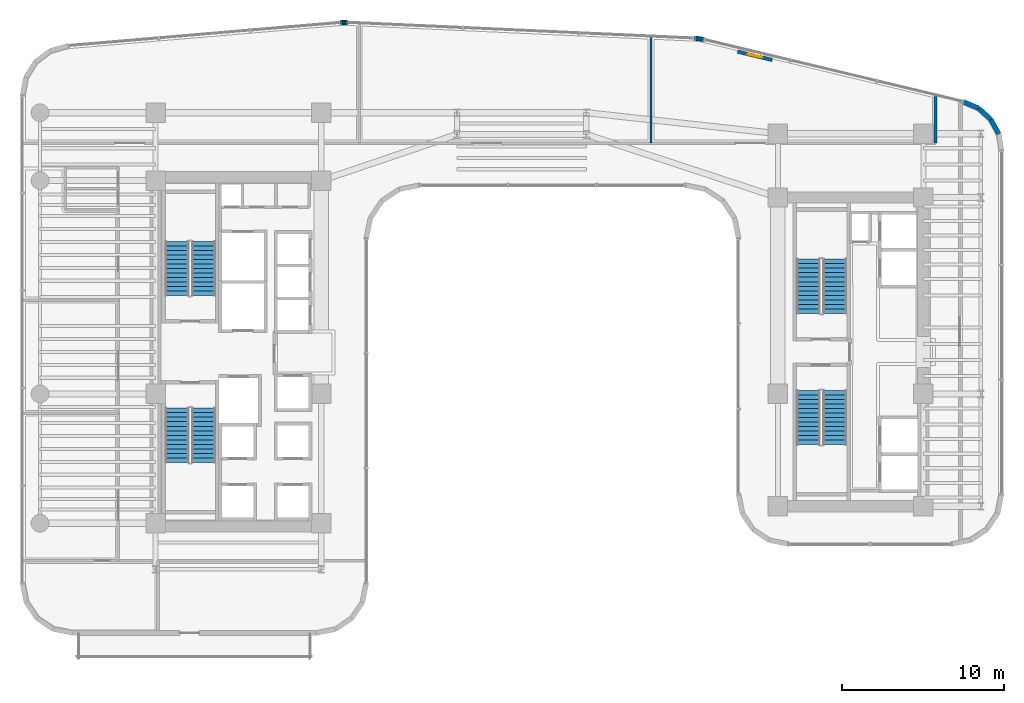
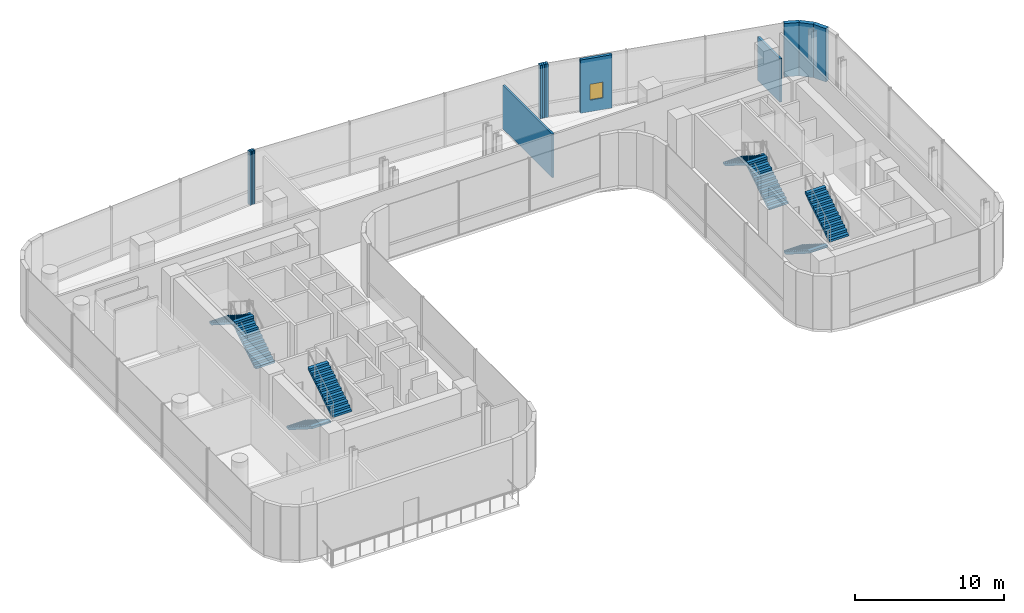
# One storey, part 28 of 32: 14 walls, 8 stair flights, 1 window, 1 opening, 4 elements without a shape of their own.
"""IFC4 building model written with IfcOpenShell, lengths in metres."""

from ifc_helpers import new_model, si_unit, direction, frame, frame_2d, origin, place, context, subcontext, project, spatial, polyline, rectangle, outline, extrude, material, layer, layer_set, type_object, element, fill, aggregate, save


model = new_model("IFC4")

# Units and contexts
model_context = context("Model", 3, precision=1e-05, world=origin(), true_north=direction((0.0, 1.0)))
body_context = subcontext(model_context, "Body", "Model", "MODEL_VIEW")
ifc_project = project(units=[si_unit("LENGTHUNIT", "METRE"), si_unit("AREAUNIT", "SQUARE_METRE"), si_unit("VOLUMEUNIT", "CUBIC_METRE"), si_unit("PLANEANGLEUNIT", "RADIAN"), si_unit("MASSUNIT", "GRAM", prefix="KILO")], contexts=[model_context])

# Site, building, storey
site_placement = place(None, origin())
site = spatial("IfcSite", under=ifc_project, at=site_placement, CompositionType="ELEMENT")
building_placement = place(site_placement, origin())
building = spatial("IfcBuilding", under=site, at=building_placement, Name="Valdorenza Pilgrim Sanctuary Tower", CompositionType="ELEMENT")
storey_placement = place(building_placement, frame((0.0, 0.0, 101.10009765625)))
storey = spatial("IfcBuildingStorey", under=building, at=storey_placement, Name="L25", CompositionType="ELEMENT", Elevation=101.10009765625)

# Walls
ifc_material_1 = material(Name="Acoustic twin-stud gypsum partition", Category="gypsum")
ifc_layer_1 = layer(ifc_material_1, 0.159912109375, Name="Acoustic twin-stud gypsum partition")
ifc_layer_set_1 = layer_set([ifc_layer_1], Name="Acoustic twin-stud gypsum partition")
wall_type_1 = type_object("IfcWallType", Name="WAL-COR-160", PredefinedType="PARTITIONING", material=ifc_layer_set_1)
wall_1_placement = place(storey_placement, frame((25.60009765625, 12.919921875, 0.0), z_axis=(0.0, 0.0, 1.0), x_axis=(0.0, 1.0, 0.0)))
element("IfcWall", 1, at=wall_1_placement, inside=storey, type_object=wall_type_1, Name="L25 L25 Knuckle East Wall", PredefinedType="PARTITIONING", context=body_context, shape_type="SweptSolid", body=[
    extrude(rectangle(XDim=2.972412109375, YDim=0.159912109375, at=frame_2d((1.486328125, 0.0))), origin(), (0.0, 0.0, 1.0), 3.56591796875),
])
ifc_material_2 = material(Name="Honed travertine limestone", Category="masonry")
ifc_layer_2 = layer(ifc_material_2, 0.300048828125, Name="Honed travertine limestone")
ifc_layer_set_2 = layer_set([ifc_layer_2], Name="Honed travertine limestone")
wall_type_2 = type_object("IfcWallType", Name="WAL-EXT-300", PredefinedType="SOLIDWALL", material=ifc_layer_set_2)
wall_2_placement = place(storey_placement, frame((-11.199462890625, 20.37255859375, 0.0), z_axis=(0.0, 0.0, 1.0), x_axis=(0.997567332166, 0.069709524416, 0.0)))
element("IfcWall", 2, at=wall_2_placement, inside=storey, type_object=wall_type_2, Name="L25 Rounded Wind-Corner Stone Pier 7", PredefinedType="SOLIDWALL", context=body_context, shape_type="SweptSolid", body=[
    extrude(rectangle(XDim=0.1015625, YDim=0.300048828125, at=frame_2d((0.05078125, 0.0))), origin(), (0.0, 0.0, 1.0), 4.35986328125),
])
wall_3_placement = place(storey_placement, frame((-11.09814453125, 20.379638671875, 0.0), z_axis=(0.0, 0.0, 1.0), x_axis=(0.999334672785, 0.03647206835, 0.0)))
element("IfcWall", 3, at=wall_3_placement, inside=storey, type_object=wall_type_2, Name="L25 Rounded Wind-Corner Stone Pier 8", PredefinedType="SOLIDWALL", context=body_context, shape_type="SweptSolid", body=[
    extrude(rectangle(XDim=0.100341796875, YDim=0.300048828125, at=frame_2d((0.05029296875, 0.0))), origin(), (0.0, 0.0, 1.0), 4.35986328125),
])
wall_4_placement = place(storey_placement, frame((-10.997802734375, 20.38330078125, 0.0), z_axis=(0.0, 0.0, 1.0), x_axis=(0.999997054401, 0.002427177317, 0.0)))
element("IfcWall", 4, at=wall_4_placement, inside=storey, type_object=wall_type_2, Name="L25 Rounded Wind-Corner Stone Pier 9", PredefinedType="SOLIDWALL", context=body_context, shape_type="SweptSolid", body=[
    extrude(rectangle(XDim=0.1005859375, YDim=0.300048828125, at=frame_2d((0.05029296875, 0.0))), origin(), (0.0, 0.0, 1.0), 4.35986328125),
])
wall_5_placement = place(storey_placement, frame((-10.897216796875, 20.383544921875, 0.0), z_axis=(0.0, 0.0, 1.0), x_axis=(0.999584209171, -0.02883415988, 0.0)))
element("IfcWall", 5, at=wall_5_placement, inside=storey, type_object=wall_type_2, Name="L25 Rounded Wind-Corner Stone Pier 10", PredefinedType="SOLIDWALL", context=body_context, shape_type="SweptSolid", body=[
    extrude(rectangle(XDim=0.1015625, YDim=0.300048828125, at=frame_2d((0.05078125, 0.0))), origin(), (0.0, 0.0, 1.0), 4.35986328125),
])
wall_6_placement = place(storey_placement, frame((10.68994140625, 19.404052734375, 0.0), z_axis=(0.0, 0.0, 1.0), x_axis=(0.99758310784, -0.069483400546, 0.0)))
element("IfcWall", 6, at=wall_6_placement, inside=storey, type_object=wall_type_2, Name="L25 Rounded Wind-Corner Stone Pier 12", PredefinedType="SOLIDWALL", context=body_context, shape_type="SweptSolid", body=[
    extrude(rectangle(XDim=0.1474609375, YDim=0.300048828125, at=frame_2d((0.07373046875, 0.0))), origin(), (0.0, 0.0, 1.0), 4.35986328125),
])
for number, where, z_axis, x_axis, name in (
    (7, (10.837158203125, 19.393798828125, 0.0), (0.0, 0.0, 1.0), (0.993173334962, -0.116647874912, 0.0), "L25 Rounded Wind-Corner Stone Pier 13"),
    (8, (10.982666015625, 19.376708984375, 0.0), (0.0, 0.0, 1.0), (0.986573494681, -0.163317909592, 0.0), "L25 Rounded Wind-Corner Stone Pier 14"),
):
    element("IfcWall", number, at=place(storey_placement, frame(where, z_axis=z_axis, x_axis=x_axis)), inside=storey, type_object=wall_type_2, Name=name, PredefinedType="SOLIDWALL", context=body_context, shape_type="SweptSolid", body=[
        extrude(rectangle(XDim=0.146484375, YDim=0.300048828125, at=frame_2d((0.0732421875, 0.0))), origin(), (0.0, 0.0, 1.0), 4.35986328125),
    ])
wall_7_placement = place(storey_placement, frame((11.127197265625, 19.352783203125, 0.0), z_axis=(0.0, 0.0, 1.0), x_axis=(0.978019841688, -0.208511844421, 0.0)))
element("IfcWall", 9, at=wall_7_placement, inside=storey, type_object=wall_type_2, Name="L25 Rounded Wind-Corner Stone Pier 15", PredefinedType="SOLIDWALL", context=body_context, shape_type="SweptSolid", body=[
    extrude(rectangle(XDim=0.1474609375, YDim=0.300048828125, at=frame_2d((0.07373046875, 0.0))), origin(), (0.0, 0.0, 1.0), 4.35986328125),
])

# Wall, opening, window
wall_8_placement = place(storey_placement, frame((13.355224609375, 18.576416015625, 0.0), z_axis=(0.0, 0.0, 1.0), x_axis=(0.97252211384, -0.232810519721, 0.0)))
wall_8 = element("IfcWall", 10, at=wall_8_placement, inside=storey, type_object=wall_type_2, Name="L25 Operable Ventilation Sash Jamb Pier", PredefinedType="SOLIDWALL", context=body_context, shape_type="SweptSolid", body=[
    extrude(rectangle(XDim=2.2001953125, YDim=0.219970703125, at=frame_2d((1.10009765625, 0.0))), origin(), (0.0, 0.0, 1.0), 4.35986328125),
])
opening_placement = place(wall_8_placement, frame((0.64990234375, 0.0, 0.949951171875)))
opening = element("IfcOpeningElement", 11, at=opening_placement, cuts=wall_8, Name="Opening WN-OP1", PredefinedType="OPENING", context=body_context, shape_type="SweptSolid", body=[
    extrude(rectangle(XDim=0.89990234375, YDim=1.300048828125, at=frame_2d((0.449951171875, 0.64990234375))), frame((0.0, 0.125, 0.0), z_axis=(0.0, -1.0, 0.0), x_axis=(1.0, 0.0, 0.0)), (0.0, 0.0, 1.0), 0.249755859375),
])
ifc_material_3 = material(Name="Ceramic-fritted low-E IGU glazing", Category="glass")
window_type = type_object("IfcWindowType", Name="WIN-OPN-900", PartitioningType="SINGLE_PANEL", PredefinedType="WINDOW", material=ifc_material_3)
window_placement = place(opening_placement, origin())
window = element("IfcWindow", 12, at=window_placement, inside=storey, type_object=window_type, Name="L25 Parallel-Pop-Out Operable Facade Panel", OverallHeight=1.300048828125, OverallWidth=0.89990234375, PartitioningType="SINGLE_PANEL", PredefinedType="WINDOW", context=body_context, shape_type="SweptSolid", body=[
    extrude(rectangle(XDim=0.89990234375, YDim=1.300048828125, at=frame_2d((0.449951171875, 0.64990234375))), frame((0.0, 0.030029296875, 0.0), z_axis=(0.0, -1.0, 0.0), x_axis=(1.0, 0.0, 0.0)), (0.0, 0.0, 1.0), 0.06005859375),
])
fill(opening, window)

# Walls
wall_9_placement = place(storey_placement, frame((27.310302734375, 15.48291015625, 0.0), z_axis=(0.0, 0.0, 1.0), x_axis=(0.920250328759, -0.391330208927, 0.0)))
element("IfcWall", 13, at=wall_9_placement, inside=storey, type_object=wall_type_2, Name="L25 Rounded Wind-Corner Stone Pier 17", PredefinedType="SOLIDWALL", context=body_context, shape_type="SweptSolid", body=[
    extrude(rectangle(XDim=1.0361328125, YDim=0.300048828125, at=frame_2d((0.51806640625, 0.0))), origin(), (0.0, 0.0, 1.0), 4.35986328125),
])
wall_10_placement = place(storey_placement, frame((28.263916015625, 15.077392578125, 0.0), z_axis=(0.0, 0.0, 1.0), x_axis=(0.741208839713, -0.671274501178, 0.0)))
element("IfcWall", 14, at=wall_10_placement, inside=storey, type_object=wall_type_2, Name="L25 Rounded Wind-Corner Stone Pier 18", PredefinedType="SOLIDWALL", context=body_context, shape_type="SweptSolid", body=[
    extrude(rectangle(XDim=1.0263671875, YDim=0.300048828125, at=frame_2d((0.51318359375, 0.0))), origin(), (0.0, 0.0, 1.0), 4.35986328125),
])
wall_11_placement = place(storey_placement, frame((29.024658203125, 14.388427734375, 0.0), z_axis=(0.0, 0.0, 1.0), x_axis=(0.480284137298, -0.87711296163, 0.0)))
element("IfcWall", 15, at=wall_11_placement, inside=storey, type_object=wall_type_2, Name="L25 Rounded Wind-Corner Stone Pier 19", PredefinedType="SOLIDWALL", context=body_context, shape_type="SweptSolid", body=[
    extrude(rectangle(XDim=1.02685546875, YDim=0.300048828125, at=frame_2d((0.513427734375, 0.0))), origin(), (0.0, 0.0, 1.0), 4.35986328125),
])
ifc_layer_3 = layer(ifc_material_1, 0.14990234375, Name="Acoustic twin-stud gypsum partition")
ifc_layer_set_3 = layer_set([ifc_layer_3], Name="Acoustic twin-stud gypsum partition")
wall_type_3 = type_object("IfcWallType", Name="WAL-UNT-150", PredefinedType="PARTITIONING", material=ifc_layer_set_3)
wall_12_placement = place(storey_placement, frame((8.0, 12.919921875, 0.0), z_axis=(0.0, 0.0, 1.0), x_axis=(0.0, 1.0, 0.0)))
element("IfcWall", 16, at=wall_12_placement, inside=storey, type_object=wall_type_3, Name="L25 L25 Knuckle Mid Wall", PredefinedType="PARTITIONING", context=body_context, shape_type="SweptSolid", body=[
    extrude(rectangle(XDim=6.606201171875, YDim=0.14990234375, at=frame_2d((3.30322265625, 0.0))), origin(), (0.0, 0.0, 1.0), 3.56591796875),
])

# Stair, stair flights
ifc_material_4 = material(Name="Concrete C40/50", Category="concrete")
stair_type = type_object("IfcStairType", Name="STR-DOG-CORE", PredefinedType="HALF_TURN_STAIR", material=ifc_material_4)
stair_1_placement = place(storey_placement, origin())
stair_1 = element("IfcStair", 17, at=stair_1_placement, inside=storey, type_object=stair_type, Name="L25 ST-A1", PredefinedType="HALF_TURN_STAIR")
stair_flight_type = type_object("IfcStairFlightType", Name="STF-RC-1400", PredefinedType="STRAIGHT", material=ifc_material_4)
stair_flight_1_placement = place(storey_placement, frame((-19.679931640625, 3.47998046875, 0.0), z_axis=(0.0, 0.0, 1.0), x_axis=(0.0, 1.0, 0.0)))
stair_flight_1 = element("IfcStairFlight", 18, at=stair_flight_1_placement, type_object=stair_flight_type, Name="ST-A1 flight 1", NumberOfRisers=13, NumberOfTreads=12, PredefinedType="STRAIGHT", RiserHeight=0.176923077, TreadLength=0.28, context=body_context, shape_type="SweptSolid", body=[
    extrude(outline(polyline([(0.0, 0.0), (0.0, 0.177001953125), (0.280029296875, 0.177001953125), (0.280029296875, 0.353759765625), (0.56005859375, 0.353759765625), (0.56005859375, 0.53076171875), (0.840087890625, 0.53076171875), (0.840087890625, 0.707763671875), (1.1201171875, 0.707763671875), (1.1201171875, 0.884521484375), (1.39990234375, 0.884521484375), (1.39990234375, 1.0615234375), (1.679931640625, 1.0615234375), (1.679931640625, 1.238525390625), (1.9599609375, 1.238525390625), (1.9599609375, 1.415283203125), (2.239990234375, 1.415283203125), (2.239990234375, 1.59228515625), (2.52001953125, 1.59228515625), (2.52001953125, 1.769287109375), (2.800048828125, 1.769287109375), (2.800048828125, 1.946044921875), (3.080078125, 1.946044921875), (3.080078125, 2.123046875), (3.360107421875, 2.123046875), (3.360107421875, 2.300048828125), (3.360107421875, 1.94580078125), (0.280517578125, 0.0), (0.0, 0.0)])), frame((0.0, 0.739990234375, 0.0), z_axis=(0.0, -1.0, 0.0), x_axis=(1.0, 0.0, 0.0)), (0.0, 0.0, 1.0), 1.47998046875),
])
stair_flight_2_placement = place(storey_placement, frame((-21.31005859375, 6.840087890625, 2.2998046875), z_axis=(0.0, 0.0, 1.0), x_axis=(0.0, -1.0, 0.0)))
stair_flight_2 = element("IfcStairFlight", 19, at=stair_flight_2_placement, type_object=stair_flight_type, Name="ST-A1 flight 2", NumberOfRisers=13, NumberOfTreads=12, PredefinedType="STRAIGHT", RiserHeight=0.176923077, TreadLength=0.28, context=body_context, shape_type="SweptSolid", body=[
    extrude(outline(polyline([(0.0, 0.0), (0.0, 0.177001953125), (0.280029296875, 0.177001953125), (0.280029296875, 0.353759765625), (0.56005859375, 0.353759765625), (0.56005859375, 0.53076171875), (0.840087890625, 0.53076171875), (0.840087890625, 0.707763671875), (1.1201171875, 0.707763671875), (1.1201171875, 0.884521484375), (1.39990234375, 0.884521484375), (1.39990234375, 1.0615234375), (1.679931640625, 1.0615234375), (1.679931640625, 1.238525390625), (1.9599609375, 1.238525390625), (1.9599609375, 1.415283203125), (2.239990234375, 1.415283203125), (2.239990234375, 1.59228515625), (2.52001953125, 1.59228515625), (2.52001953125, 1.769287109375), (2.800048828125, 1.769287109375), (2.800048828125, 1.946044921875), (3.080078125, 1.946044921875), (3.080078125, 2.123046875), (3.360107421875, 2.123046875), (3.360107421875, 2.300048828125), (3.360107421875, 1.94580078125), (0.280517578125, 0.0), (0.0, 0.0)])), frame((0.0, 0.739990234375, 0.0), z_axis=(0.0, -1.0, 0.0), x_axis=(1.0, 0.0, 0.0)), (0.0, 0.0, 1.0), 1.47998046875),
])
aggregate(stair_1, [stair_flight_1, stair_flight_2])

stair_2_placement = place(storey_placement, origin())
stair_2 = element("IfcStair", 20, at=stair_2_placement, inside=storey, type_object=stair_type, Name="L25 ST-A2", PredefinedType="HALF_TURN_STAIR")
stair_flight_3_placement = place(storey_placement, frame((-21.31005859375, -3.47998046875, 0.0), z_axis=(0.0, 0.0, 1.0), x_axis=(0.0, -1.0, 0.0)))
stair_flight_3 = element("IfcStairFlight", 21, at=stair_flight_3_placement, type_object=stair_flight_type, Name="ST-A2 flight 1", NumberOfRisers=13, NumberOfTreads=12, PredefinedType="STRAIGHT", RiserHeight=0.176923077, TreadLength=0.28, context=body_context, shape_type="SweptSolid", body=[
    extrude(outline(polyline([(0.0, 0.0), (0.0, 0.177001953125), (0.280029296875, 0.177001953125), (0.280029296875, 0.353759765625), (0.56005859375, 0.353759765625), (0.56005859375, 0.53076171875), (0.840087890625, 0.53076171875), (0.840087890625, 0.707763671875), (1.1201171875, 0.707763671875), (1.1201171875, 0.884521484375), (1.39990234375, 0.884521484375), (1.39990234375, 1.0615234375), (1.679931640625, 1.0615234375), (1.679931640625, 1.238525390625), (1.9599609375, 1.238525390625), (1.9599609375, 1.415283203125), (2.239990234375, 1.415283203125), (2.239990234375, 1.59228515625), (2.52001953125, 1.59228515625), (2.52001953125, 1.769287109375), (2.800048828125, 1.769287109375), (2.800048828125, 1.946044921875), (3.080078125, 1.946044921875), (3.080078125, 2.123046875), (3.360107421875, 2.123046875), (3.360107421875, 2.300048828125), (3.360107421875, 1.94580078125), (0.280517578125, 0.0), (0.0, 0.0)])), frame((0.0, 0.739990234375, 0.0), z_axis=(0.0, -1.0, 0.0), x_axis=(1.0, 0.0, 0.0)), (0.0, 0.0, 1.0), 1.47998046875),
])
stair_flight_4_placement = place(storey_placement, frame((-19.679931640625, -6.840087890625, 2.2998046875), z_axis=(0.0, 0.0, 1.0), x_axis=(0.0, 1.0, 0.0)))
stair_flight_4 = element("IfcStairFlight", 22, at=stair_flight_4_placement, type_object=stair_flight_type, Name="ST-A2 flight 2", NumberOfRisers=13, NumberOfTreads=12, PredefinedType="STRAIGHT", RiserHeight=0.176923077, TreadLength=0.28, context=body_context, shape_type="SweptSolid", body=[
    extrude(outline(polyline([(0.0, 0.0), (0.0, 0.177001953125), (0.280029296875, 0.177001953125), (0.280029296875, 0.353759765625), (0.56005859375, 0.353759765625), (0.56005859375, 0.53076171875), (0.840087890625, 0.53076171875), (0.840087890625, 0.707763671875), (1.1201171875, 0.707763671875), (1.1201171875, 0.884521484375), (1.39990234375, 0.884521484375), (1.39990234375, 1.0615234375), (1.679931640625, 1.0615234375), (1.679931640625, 1.238525390625), (1.9599609375, 1.238525390625), (1.9599609375, 1.415283203125), (2.239990234375, 1.415283203125), (2.239990234375, 1.59228515625), (2.52001953125, 1.59228515625), (2.52001953125, 1.769287109375), (2.800048828125, 1.769287109375), (2.800048828125, 1.946044921875), (3.080078125, 1.946044921875), (3.080078125, 2.123046875), (3.360107421875, 2.123046875), (3.360107421875, 2.300048828125), (3.360107421875, 1.94580078125), (0.280517578125, 0.0), (0.0, 0.0)])), frame((0.0, 0.739990234375, 0.0), z_axis=(0.0, -1.0, 0.0), x_axis=(1.0, 0.0, 0.0)), (0.0, 0.0, 1.0), 1.47998046875),
])
aggregate(stair_2, [stair_flight_3, stair_flight_4])

stair_3_placement = place(storey_placement, origin())
stair_3 = element("IfcStair", 23, at=stair_3_placement, inside=storey, type_object=stair_type, Name="L25 ST-B1", PredefinedType="HALF_TURN_STAIR")
stair_flight_5_placement = place(storey_placement, frame((19.3701171875, 2.3798828125, 0.0), z_axis=(0.0, 0.0, 1.0), x_axis=(0.0, 1.0, 0.0)))
stair_flight_5 = element("IfcStairFlight", 24, at=stair_flight_5_placement, type_object=stair_flight_type, Name="ST-B1 flight 1", NumberOfRisers=13, NumberOfTreads=12, PredefinedType="STRAIGHT", RiserHeight=0.176923077, TreadLength=0.28, context=body_context, shape_type="SweptSolid", body=[
    extrude(outline(polyline([(0.0, 0.0), (0.0, 0.177001953125), (0.280029296875, 0.177001953125), (0.280029296875, 0.353759765625), (0.56005859375, 0.353759765625), (0.56005859375, 0.53076171875), (0.840087890625, 0.53076171875), (0.840087890625, 0.707763671875), (1.1201171875, 0.707763671875), (1.1201171875, 0.884521484375), (1.39990234375, 0.884521484375), (1.39990234375, 1.0615234375), (1.679931640625, 1.0615234375), (1.679931640625, 1.238525390625), (1.9599609375, 1.238525390625), (1.9599609375, 1.415283203125), (2.239990234375, 1.415283203125), (2.239990234375, 1.59228515625), (2.52001953125, 1.59228515625), (2.52001953125, 1.769287109375), (2.800048828125, 1.769287109375), (2.800048828125, 1.946044921875), (3.080078125, 1.946044921875), (3.080078125, 2.123046875), (3.360107421875, 2.123046875), (3.360107421875, 2.300048828125), (3.360107421875, 1.94580078125), (0.280517578125, 0.0), (0.0, 0.0)])), frame((0.0, 0.739990234375, 0.0), z_axis=(0.0, -1.0, 0.0), x_axis=(1.0, 0.0, 0.0)), (0.0, 0.0, 1.0), 1.47998046875),
])
stair_flight_6_placement = place(storey_placement, frame((17.739990234375, 5.739990234375, 2.2998046875), z_axis=(0.0, 0.0, 1.0), x_axis=(0.0, -1.0, 0.0)))
stair_flight_6 = element("IfcStairFlight", 25, at=stair_flight_6_placement, type_object=stair_flight_type, Name="ST-B1 flight 2", NumberOfRisers=13, NumberOfTreads=12, PredefinedType="STRAIGHT", RiserHeight=0.176923077, TreadLength=0.28, context=body_context, shape_type="SweptSolid", body=[
    extrude(outline(polyline([(0.0, 0.0), (0.0, 0.177001953125), (0.280029296875, 0.177001953125), (0.280029296875, 0.353759765625), (0.56005859375, 0.353759765625), (0.56005859375, 0.53076171875), (0.840087890625, 0.53076171875), (0.840087890625, 0.707763671875), (1.1201171875, 0.707763671875), (1.1201171875, 0.884521484375), (1.39990234375, 0.884521484375), (1.39990234375, 1.0615234375), (1.679931640625, 1.0615234375), (1.679931640625, 1.238525390625), (1.9599609375, 1.238525390625), (1.9599609375, 1.415283203125), (2.239990234375, 1.415283203125), (2.239990234375, 1.59228515625), (2.52001953125, 1.59228515625), (2.52001953125, 1.769287109375), (2.800048828125, 1.769287109375), (2.800048828125, 1.946044921875), (3.080078125, 1.946044921875), (3.080078125, 2.123046875), (3.360107421875, 2.123046875), (3.360107421875, 2.300048828125), (3.360107421875, 1.94580078125), (0.280517578125, 0.0), (0.0, 0.0)])), frame((0.0, 0.739990234375, 0.0), z_axis=(0.0, -1.0, 0.0), x_axis=(1.0, 0.0, 0.0)), (0.0, 0.0, 1.0), 1.47998046875),
])
aggregate(stair_3, [stair_flight_5, stair_flight_6])

stair_4_placement = place(storey_placement, origin())
stair_4 = element("IfcStair", 26, at=stair_4_placement, inside=storey, type_object=stair_type, Name="L25 ST-B2", PredefinedType="HALF_TURN_STAIR")
stair_flight_7_placement = place(storey_placement, frame((17.739990234375, -2.3798828125, 0.0), z_axis=(0.0, 0.0, 1.0), x_axis=(0.0, -1.0, 0.0)))
stair_flight_7 = element("IfcStairFlight", 27, at=stair_flight_7_placement, type_object=stair_flight_type, Name="ST-B2 flight 1", NumberOfRisers=13, NumberOfTreads=12, PredefinedType="STRAIGHT", RiserHeight=0.176923077, TreadLength=0.28, context=body_context, shape_type="SweptSolid", body=[
    extrude(outline(polyline([(0.0, 0.0), (0.0, 0.177001953125), (0.280029296875, 0.177001953125), (0.280029296875, 0.353759765625), (0.56005859375, 0.353759765625), (0.56005859375, 0.53076171875), (0.840087890625, 0.53076171875), (0.840087890625, 0.707763671875), (1.1201171875, 0.707763671875), (1.1201171875, 0.884521484375), (1.39990234375, 0.884521484375), (1.39990234375, 1.0615234375), (1.679931640625, 1.0615234375), (1.679931640625, 1.238525390625), (1.9599609375, 1.238525390625), (1.9599609375, 1.415283203125), (2.239990234375, 1.415283203125), (2.239990234375, 1.59228515625), (2.52001953125, 1.59228515625), (2.52001953125, 1.769287109375), (2.800048828125, 1.769287109375), (2.800048828125, 1.946044921875), (3.080078125, 1.946044921875), (3.080078125, 2.123046875), (3.360107421875, 2.123046875), (3.360107421875, 2.300048828125), (3.360107421875, 1.94580078125), (0.280517578125, 0.0), (0.0, 0.0)])), frame((0.0, 0.739990234375, 0.0), z_axis=(0.0, -1.0, 0.0), x_axis=(1.0, 0.0, 0.0)), (0.0, 0.0, 1.0), 1.47998046875),
])
stair_flight_8_placement = place(storey_placement, frame((19.3701171875, -5.739990234375, 2.2998046875), z_axis=(0.0, 0.0, 1.0), x_axis=(0.0, 1.0, 0.0)))
stair_flight_8 = element("IfcStairFlight", 28, at=stair_flight_8_placement, type_object=stair_flight_type, Name="ST-B2 flight 2", NumberOfRisers=13, NumberOfTreads=12, PredefinedType="STRAIGHT", RiserHeight=0.176923077, TreadLength=0.28, context=body_context, shape_type="SweptSolid", body=[
    extrude(outline(polyline([(0.0, 0.0), (0.0, 0.177001953125), (0.280029296875, 0.177001953125), (0.280029296875, 0.353759765625), (0.56005859375, 0.353759765625), (0.56005859375, 0.53076171875), (0.840087890625, 0.53076171875), (0.840087890625, 0.707763671875), (1.1201171875, 0.707763671875), (1.1201171875, 0.884521484375), (1.39990234375, 0.884521484375), (1.39990234375, 1.0615234375), (1.679931640625, 1.0615234375), (1.679931640625, 1.238525390625), (1.9599609375, 1.238525390625), (1.9599609375, 1.415283203125), (2.239990234375, 1.415283203125), (2.239990234375, 1.59228515625), (2.52001953125, 1.59228515625), (2.52001953125, 1.769287109375), (2.800048828125, 1.769287109375), (2.800048828125, 1.946044921875), (3.080078125, 1.946044921875), (3.080078125, 2.123046875), (3.360107421875, 2.123046875), (3.360107421875, 2.300048828125), (3.360107421875, 1.94580078125), (0.280517578125, 0.0), (0.0, 0.0)])), frame((0.0, 0.739990234375, 0.0), z_axis=(0.0, -1.0, 0.0), x_axis=(1.0, 0.0, 0.0)), (0.0, 0.0, 1.0), 1.47998046875),
])
aggregate(stair_4, [stair_flight_7, stair_flight_8])

save(model, "model.ifc")
